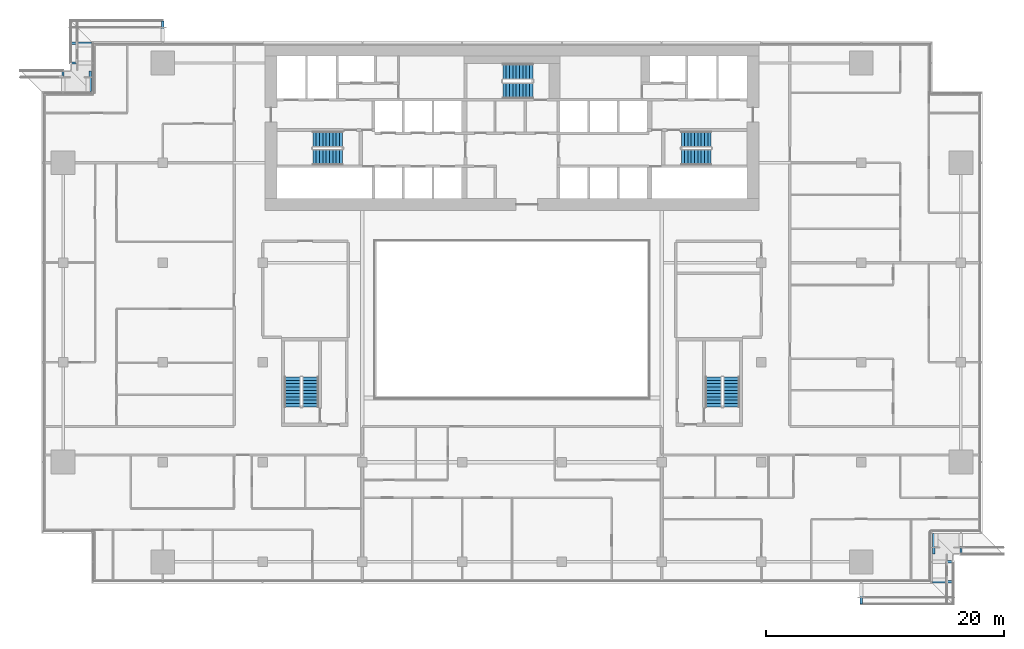
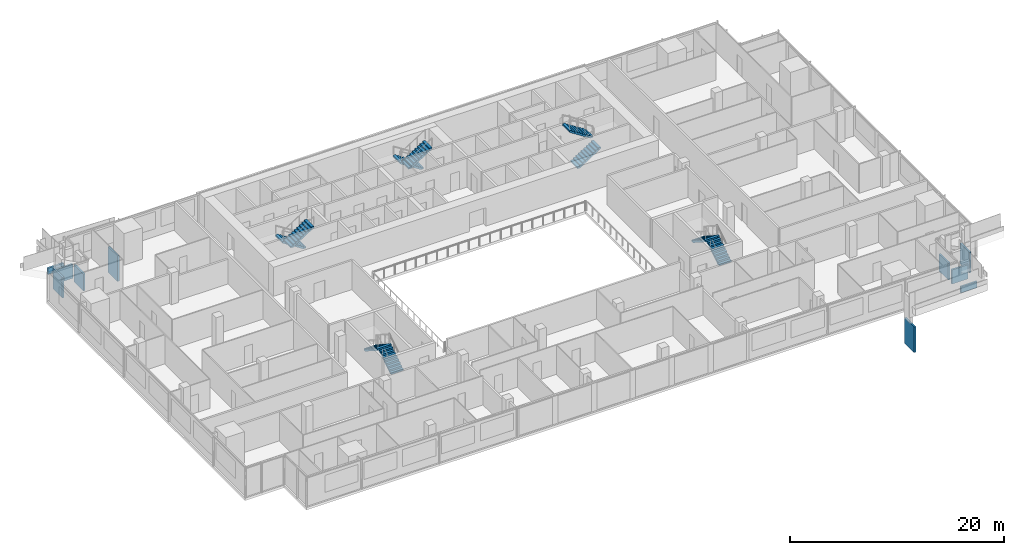
# One storey, part 25 of 30: 10 discrete accessories, 10 stair flights, 5 elements without a shape of their own.
"""IFC4 building model written with IfcOpenShell, lengths in metres."""

from ifc_helpers import new_model, si_unit, direction, frame, origin, origin_2d, place, context, subcontext, project, spatial, polyline, rectangle, outline, extrude, material, type_object, element, aggregate, save


model = new_model("IFC4")

# Units and contexts
model_context = context("Model", 3, precision=1e-05, world=origin(), true_north=direction((0.0, 1.0)))
body_context = subcontext(model_context, "Body", "Model", "MODEL_VIEW")
ifc_project = project(units=[si_unit("LENGTHUNIT", "METRE"), si_unit("AREAUNIT", "SQUARE_METRE"), si_unit("VOLUMEUNIT", "CUBIC_METRE"), si_unit("PLANEANGLEUNIT", "RADIAN"), si_unit("MASSUNIT", "GRAM", prefix="KILO")], contexts=[model_context])

# Site, building, storey
site_placement = place(None, origin())
site = spatial("IfcSite", under=ifc_project, at=site_placement, CompositionType="ELEMENT")
building_placement = place(site_placement, origin())
building = spatial("IfcBuilding", under=site, at=building_placement, Name="Saffron Gate Tower", CompositionType="ELEMENT")
storey_placement = place(building_placement, frame((0.0, 0.0, 127.64990234375)))
storey = spatial("IfcBuildingStorey", under=building, at=storey_placement, Name="L30", CompositionType="ELEMENT", Elevation=127.64990234375)

# Stair, stair flights
ifc_material = material(Name="Concrete C40", Category="concrete")
stair_type = type_object("IfcStairType", Name="ST7 Stair 1350 wide, 20 risers of 180", PredefinedType="HALF_TURN_STAIR", material=ifc_material)
stair_1_placement = place(storey_placement, origin())
stair_1 = element("IfcStair", 1, at=stair_1_placement, inside=storey, type_object=stair_type, Name="L30 Exit stair A", PredefinedType="HALF_TURN_STAIR")
stair_flight_type = type_object("IfcStairFlightType", Name="SF3 Stair flight 1350 wide, riser 180 going 280", PredefinedType="STRAIGHT", material=ifc_material)
stair_flight_1_placement = place(storey_placement, frame((73.35009765625, 67.375, 0.0), z_axis=(0.0, 0.0, 1.0), x_axis=(-1.0, 0.0, 0.0)))
stair_flight_1 = element("IfcStairFlight", 2, at=stair_flight_1_placement, type_object=stair_flight_type, Name="ST-A flight 1", NumberOfRisers=10, NumberOfTreads=9, PredefinedType="STRAIGHT", RiserHeight=0.18, TreadLength=0.28, context=body_context, shape_type="SweptSolid", body=[
    extrude(outline(polyline([(0.0, 0.0), (0.0, 0.179931640625), (0.280029296875, 0.179931640625), (0.280029296875, 0.360107421875), (0.56005859375, 0.360107421875), (0.56005859375, 0.5400390625), (0.840087890625, 0.5400390625), (0.840087890625, 0.719970703125), (1.1201171875, 0.719970703125), (1.1201171875, 0.89990234375), (1.39990234375, 0.89990234375), (1.39990234375, 1.080078125), (1.679931640625, 1.080078125), (1.679931640625, 1.260009765625), (1.9599609375, 1.260009765625), (1.9599609375, 1.43994140625), (2.239990234375, 1.43994140625), (2.239990234375, 1.6201171875), (2.52001953125, 1.6201171875), (2.52001953125, 1.800048828125), (2.52001953125, 1.44189453125), (0.277099609375, 0.0), (0.0, 0.0)])), frame((0.0, 0.675048828125, 0.0), z_axis=(0.0, -1.0, 0.0), x_axis=(1.0, 0.0, 0.0)), (0.0, 0.0, 1.0), 1.35009765625),
])
stair_flight_2_placement = place(storey_placement, frame((70.830078125, 65.875, 1.800048828125), z_axis=(0.0, 0.0, 1.0), x_axis=(1.0, 0.0, 0.0)))
stair_flight_2 = element("IfcStairFlight", 3, at=stair_flight_2_placement, type_object=stair_flight_type, Name="ST-A flight 2", NumberOfRisers=10, NumberOfTreads=9, PredefinedType="STRAIGHT", RiserHeight=0.18, TreadLength=0.28, context=body_context, shape_type="SweptSolid", body=[
    extrude(outline(polyline([(0.0, 0.0), (0.0, 0.179931640625), (0.280029296875, 0.179931640625), (0.280029296875, 0.360107421875), (0.56005859375, 0.360107421875), (0.56005859375, 0.5400390625), (0.840087890625, 0.5400390625), (0.840087890625, 0.719970703125), (1.1201171875, 0.719970703125), (1.1201171875, 0.89990234375), (1.39990234375, 0.89990234375), (1.39990234375, 1.080078125), (1.679931640625, 1.080078125), (1.679931640625, 1.260009765625), (1.9599609375, 1.260009765625), (1.9599609375, 1.43994140625), (2.239990234375, 1.43994140625), (2.239990234375, 1.6201171875), (2.52001953125, 1.6201171875), (2.52001953125, 1.800048828125), (2.52001953125, 1.44189453125), (0.277099609375, 0.0), (0.0, 0.0)])), frame((0.0, 0.675048828125, 0.0), z_axis=(0.0, -1.0, 0.0), x_axis=(1.0, 0.0, 0.0)), (0.0, 0.0, 1.0), 1.35009765625),
])
aggregate(stair_1, [stair_flight_1, stair_flight_2])

stair_2_placement = place(storey_placement, origin())
stair_2 = element("IfcStair", 4, at=stair_2_placement, inside=storey, type_object=stair_type, Name="L30 Exit stair B", PredefinedType="HALF_TURN_STAIR")
stair_flight_3_placement = place(storey_placement, frame((101.85009765625, 65.875, 0.0), z_axis=(0.0, 0.0, 1.0), x_axis=(1.0, 0.0, 0.0)))
stair_flight_3 = element("IfcStairFlight", 5, at=stair_flight_3_placement, type_object=stair_flight_type, Name="ST-B flight 1", NumberOfRisers=10, NumberOfTreads=9, PredefinedType="STRAIGHT", RiserHeight=0.18, TreadLength=0.28, context=body_context, shape_type="SweptSolid", body=[
    extrude(outline(polyline([(0.0, 0.0), (0.0, 0.179931640625), (0.280029296875, 0.179931640625), (0.280029296875, 0.360107421875), (0.56005859375, 0.360107421875), (0.56005859375, 0.5400390625), (0.840087890625, 0.5400390625), (0.840087890625, 0.719970703125), (1.1201171875, 0.719970703125), (1.1201171875, 0.89990234375), (1.39990234375, 0.89990234375), (1.39990234375, 1.080078125), (1.679931640625, 1.080078125), (1.679931640625, 1.260009765625), (1.9599609375, 1.260009765625), (1.9599609375, 1.43994140625), (2.239990234375, 1.43994140625), (2.239990234375, 1.6201171875), (2.52001953125, 1.6201171875), (2.52001953125, 1.800048828125), (2.52001953125, 1.44189453125), (0.277099609375, 0.0), (0.0, 0.0)])), frame((0.0, 0.675048828125, 0.0), z_axis=(0.0, -1.0, 0.0), x_axis=(1.0, 0.0, 0.0)), (0.0, 0.0, 1.0), 1.35009765625),
])
stair_flight_4_placement = place(storey_placement, frame((104.3701171875, 67.375, 1.800048828125), z_axis=(0.0, 0.0, 1.0), x_axis=(-1.0, 0.0, 0.0)))
stair_flight_4 = element("IfcStairFlight", 6, at=stair_flight_4_placement, type_object=stair_flight_type, Name="ST-B flight 2", NumberOfRisers=10, NumberOfTreads=9, PredefinedType="STRAIGHT", RiserHeight=0.18, TreadLength=0.28, context=body_context, shape_type="SweptSolid", body=[
    extrude(outline(polyline([(0.0, 0.0), (0.0, 0.179931640625), (0.280029296875, 0.179931640625), (0.280029296875, 0.360107421875), (0.56005859375, 0.360107421875), (0.56005859375, 0.5400390625), (0.840087890625, 0.5400390625), (0.840087890625, 0.719970703125), (1.1201171875, 0.719970703125), (1.1201171875, 0.89990234375), (1.39990234375, 0.89990234375), (1.39990234375, 1.080078125), (1.679931640625, 1.080078125), (1.679931640625, 1.260009765625), (1.9599609375, 1.260009765625), (1.9599609375, 1.43994140625), (2.239990234375, 1.43994140625), (2.239990234375, 1.6201171875), (2.52001953125, 1.6201171875), (2.52001953125, 1.800048828125), (2.52001953125, 1.44189453125), (0.277099609375, 0.0), (0.0, 0.0)])), frame((0.0, 0.675048828125, 0.0), z_axis=(0.0, -1.0, 0.0), x_axis=(1.0, 0.0, 0.0)), (0.0, 0.0, 1.0), 1.35009765625),
])
aggregate(stair_2, [stair_flight_3, stair_flight_4])

stair_3_placement = place(storey_placement, origin())
stair_3 = element("IfcStair", 7, at=stair_3_placement, inside=storey, type_object=stair_type, Name="L30 Exit stair C", PredefinedType="HALF_TURN_STAIR")
stair_flight_5_placement = place(storey_placement, frame((89.35009765625, 73.074951171875, 0.0), z_axis=(0.0, 0.0, 1.0), x_axis=(-1.0, 0.0, 0.0)))
stair_flight_5 = element("IfcStairFlight", 8, at=stair_flight_5_placement, type_object=stair_flight_type, Name="ST-C flight 1", NumberOfRisers=10, NumberOfTreads=9, PredefinedType="STRAIGHT", RiserHeight=0.18, TreadLength=0.28, context=body_context, shape_type="SweptSolid", body=[
    extrude(outline(polyline([(0.0, 0.0), (0.0, 0.179931640625), (0.280029296875, 0.179931640625), (0.280029296875, 0.360107421875), (0.56005859375, 0.360107421875), (0.56005859375, 0.5400390625), (0.840087890625, 0.5400390625), (0.840087890625, 0.719970703125), (1.1201171875, 0.719970703125), (1.1201171875, 0.89990234375), (1.39990234375, 0.89990234375), (1.39990234375, 1.080078125), (1.679931640625, 1.080078125), (1.679931640625, 1.260009765625), (1.9599609375, 1.260009765625), (1.9599609375, 1.43994140625), (2.239990234375, 1.43994140625), (2.239990234375, 1.6201171875), (2.52001953125, 1.6201171875), (2.52001953125, 1.800048828125), (2.52001953125, 1.44189453125), (0.277099609375, 0.0), (0.0, 0.0)])), frame((0.0, 0.675048828125, 0.0), z_axis=(0.0, -1.0, 0.0), x_axis=(1.0, 0.0, 0.0)), (0.0, 0.0, 1.0), 1.35009765625),
])
stair_flight_6_placement = place(storey_placement, frame((86.830078125, 71.47509765625, 1.800048828125), z_axis=(0.0, 0.0, 1.0), x_axis=(1.0, 0.0, 0.0)))
stair_flight_6 = element("IfcStairFlight", 9, at=stair_flight_6_placement, type_object=stair_flight_type, Name="ST-C flight 2", NumberOfRisers=10, NumberOfTreads=9, PredefinedType="STRAIGHT", RiserHeight=0.18, TreadLength=0.28, context=body_context, shape_type="SweptSolid", body=[
    extrude(outline(polyline([(0.0, 0.0), (0.0, 0.179931640625), (0.280029296875, 0.179931640625), (0.280029296875, 0.360107421875), (0.56005859375, 0.360107421875), (0.56005859375, 0.5400390625), (0.840087890625, 0.5400390625), (0.840087890625, 0.719970703125), (1.1201171875, 0.719970703125), (1.1201171875, 0.89990234375), (1.39990234375, 0.89990234375), (1.39990234375, 1.080078125), (1.679931640625, 1.080078125), (1.679931640625, 1.260009765625), (1.9599609375, 1.260009765625), (1.9599609375, 1.43994140625), (2.239990234375, 1.43994140625), (2.239990234375, 1.6201171875), (2.52001953125, 1.6201171875), (2.52001953125, 1.800048828125), (2.52001953125, 1.44189453125), (0.277099609375, 0.0), (0.0, 0.0)])), frame((0.0, 0.675048828125, 0.0), z_axis=(0.0, -1.0, 0.0), x_axis=(1.0, 0.0, 0.0)), (0.0, 0.0, 1.0), 1.35009765625),
])
aggregate(stair_3, [stair_flight_5, stair_flight_6])

stair_4_placement = place(storey_placement, origin())
stair_4 = element("IfcStair", 10, at=stair_4_placement, inside=storey, type_object=stair_type, Name="L30 Exit stair D", PredefinedType="HALF_TURN_STAIR")
stair_flight_7_placement = place(storey_placement, frame((70.625, 44.85009765625, 0.0), z_axis=(0.0, 0.0, 1.0), x_axis=(0.0, 1.0, 0.0)))
stair_flight_7 = element("IfcStairFlight", 11, at=stair_flight_7_placement, type_object=stair_flight_type, Name="ST-D flight 1", NumberOfRisers=10, NumberOfTreads=9, PredefinedType="STRAIGHT", RiserHeight=0.18, TreadLength=0.28, context=body_context, shape_type="SweptSolid", body=[
    extrude(outline(polyline([(0.0, 0.0), (0.0, 0.179931640625), (0.280029296875, 0.179931640625), (0.280029296875, 0.360107421875), (0.56005859375, 0.360107421875), (0.56005859375, 0.5400390625), (0.840087890625, 0.5400390625), (0.840087890625, 0.719970703125), (1.1201171875, 0.719970703125), (1.1201171875, 0.89990234375), (1.39990234375, 0.89990234375), (1.39990234375, 1.080078125), (1.679931640625, 1.080078125), (1.679931640625, 1.260009765625), (1.9599609375, 1.260009765625), (1.9599609375, 1.43994140625), (2.239990234375, 1.43994140625), (2.239990234375, 1.6201171875), (2.52001953125, 1.6201171875), (2.52001953125, 1.800048828125), (2.52001953125, 1.44189453125), (0.277099609375, 0.0), (0.0, 0.0)])), frame((0.0, 0.675048828125, 0.0), z_axis=(0.0, -1.0, 0.0), x_axis=(1.0, 0.0, 0.0)), (0.0, 0.0, 1.0), 1.35009765625),
])
stair_flight_8_placement = place(storey_placement, frame((69.125, 47.3701171875, 1.800048828125), z_axis=(0.0, 0.0, 1.0), x_axis=(0.0, -1.0, 0.0)))
stair_flight_8 = element("IfcStairFlight", 12, at=stair_flight_8_placement, type_object=stair_flight_type, Name="ST-D flight 2", NumberOfRisers=10, NumberOfTreads=9, PredefinedType="STRAIGHT", RiserHeight=0.18, TreadLength=0.28, context=body_context, shape_type="SweptSolid", body=[
    extrude(outline(polyline([(0.0, 0.0), (0.0, 0.179931640625), (0.280029296875, 0.179931640625), (0.280029296875, 0.360107421875), (0.56005859375, 0.360107421875), (0.56005859375, 0.5400390625), (0.840087890625, 0.5400390625), (0.840087890625, 0.719970703125), (1.1201171875, 0.719970703125), (1.1201171875, 0.89990234375), (1.39990234375, 0.89990234375), (1.39990234375, 1.080078125), (1.679931640625, 1.080078125), (1.679931640625, 1.260009765625), (1.9599609375, 1.260009765625), (1.9599609375, 1.43994140625), (2.239990234375, 1.43994140625), (2.239990234375, 1.6201171875), (2.52001953125, 1.6201171875), (2.52001953125, 1.800048828125), (2.52001953125, 1.44189453125), (0.277099609375, 0.0), (0.0, 0.0)])), frame((0.0, 0.675048828125, 0.0), z_axis=(0.0, -1.0, 0.0), x_axis=(1.0, 0.0, 0.0)), (0.0, 0.0, 1.0), 1.35009765625),
])
aggregate(stair_4, [stair_flight_7, stair_flight_8])

stair_5_placement = place(storey_placement, origin())
stair_5 = element("IfcStair", 13, at=stair_5_placement, inside=storey, type_object=stair_type, Name="L30 Exit stair E", PredefinedType="HALF_TURN_STAIR")
stair_flight_9_placement = place(storey_placement, frame((106.074951171875, 44.85009765625, 0.0), z_axis=(0.0, 0.0, 1.0), x_axis=(0.0, 1.0, 0.0)))
stair_flight_9 = element("IfcStairFlight", 14, at=stair_flight_9_placement, type_object=stair_flight_type, Name="ST-E flight 1", NumberOfRisers=10, NumberOfTreads=9, PredefinedType="STRAIGHT", RiserHeight=0.18, TreadLength=0.28, context=body_context, shape_type="SweptSolid", body=[
    extrude(outline(polyline([(0.0, 0.0), (0.0, 0.179931640625), (0.280029296875, 0.179931640625), (0.280029296875, 0.360107421875), (0.56005859375, 0.360107421875), (0.56005859375, 0.5400390625), (0.840087890625, 0.5400390625), (0.840087890625, 0.719970703125), (1.1201171875, 0.719970703125), (1.1201171875, 0.89990234375), (1.39990234375, 0.89990234375), (1.39990234375, 1.080078125), (1.679931640625, 1.080078125), (1.679931640625, 1.260009765625), (1.9599609375, 1.260009765625), (1.9599609375, 1.43994140625), (2.239990234375, 1.43994140625), (2.239990234375, 1.6201171875), (2.52001953125, 1.6201171875), (2.52001953125, 1.800048828125), (2.52001953125, 1.44189453125), (0.277099609375, 0.0), (0.0, 0.0)])), frame((0.0, 0.675048828125, 0.0), z_axis=(0.0, -1.0, 0.0), x_axis=(1.0, 0.0, 0.0)), (0.0, 0.0, 1.0), 1.35009765625),
])
stair_flight_10_placement = place(storey_placement, frame((104.574951171875, 47.3701171875, 1.800048828125), z_axis=(0.0, 0.0, 1.0), x_axis=(0.0, -1.0, 0.0)))
stair_flight_10 = element("IfcStairFlight", 15, at=stair_flight_10_placement, type_object=stair_flight_type, Name="ST-E flight 2", NumberOfRisers=10, NumberOfTreads=9, PredefinedType="STRAIGHT", RiserHeight=0.18, TreadLength=0.28, context=body_context, shape_type="SweptSolid", body=[
    extrude(outline(polyline([(0.0, 0.0), (0.0, 0.179931640625), (0.280029296875, 0.179931640625), (0.280029296875, 0.360107421875), (0.56005859375, 0.360107421875), (0.56005859375, 0.5400390625), (0.840087890625, 0.5400390625), (0.840087890625, 0.719970703125), (1.1201171875, 0.719970703125), (1.1201171875, 0.89990234375), (1.39990234375, 0.89990234375), (1.39990234375, 1.080078125), (1.679931640625, 1.080078125), (1.679931640625, 1.260009765625), (1.9599609375, 1.260009765625), (1.9599609375, 1.43994140625), (2.239990234375, 1.43994140625), (2.239990234375, 1.6201171875), (2.52001953125, 1.6201171875), (2.52001953125, 1.800048828125), (2.52001953125, 1.44189453125), (0.277099609375, 0.0), (0.0, 0.0)])), frame((0.0, 0.675048828125, 0.0), z_axis=(0.0, -1.0, 0.0), x_axis=(1.0, 0.0, 0.0)), (0.0, 0.0, 1.0), 1.35009765625),
])
aggregate(stair_5, [stair_flight_9, stair_flight_10])

# Discrete accessories
discrete_accessory_1_placement = place(storey_placement, frame((58.199951171875, 76.47509765625, -3.8798828125), z_axis=(0.0, 0.0, 1.0), x_axis=(-1.0, 0.0, 0.0)))
element("IfcDiscreteAccessory", 16, at=discrete_accessory_1_placement, inside=storey, Name="LEDGE rib", PredefinedType="BRACKET", context=body_context, shape_type="SweptSolid", body=[
    extrude(rectangle(XDim=0.199951171875, YDim=1.75, at=origin_2d()), origin(), (0.0, 0.0, 1.0), 2.935302734375),
])
discrete_accessory_2_placement = place(storey_placement, frame((51.324951171875, 75.47998046875, -0.280029296875), z_axis=(0.0, 0.0, 1.0), x_axis=(0.0, -1.0, 0.0)))
element("IfcDiscreteAccessory", 17, at=discrete_accessory_2_placement, inside=storey, Name="LEDGE rib", PredefinedType="BRACKET", context=body_context, shape_type="SweptSolid", body=[
    extrude(rectangle(XDim=0.199951171875, YDim=1.75, at=origin_2d()), origin(), (0.0, 0.0, 1.0), 0.70849609375),
])
discrete_accessory_3_placement = place(storey_placement, frame((51.324951171875, 73.800048828125, -0.27978515625), z_axis=(0.0, 0.0, 1.0), x_axis=(0.0, -1.0, 0.0)))
element("IfcDiscreteAccessory", 18, at=discrete_accessory_3_placement, inside=storey, Name="LEDGE rib", PredefinedType="BRACKET", context=body_context, shape_type="SweptSolid", body=[
    extrude(rectangle(XDim=0.199951171875, YDim=1.75, at=origin_2d()), origin(), (0.0, 0.0, 1.0), 1.61767578125),
])
discrete_accessory_4_placement = place(storey_placement, frame((52.080078125, 72.27490234375, -0.27978515625), z_axis=(0.0, 0.0, 1.0), x_axis=(-1.0, 0.0, 0.0)))
element("IfcDiscreteAccessory", 19, at=discrete_accessory_4_placement, inside=storey, Name="LEDGE rib", PredefinedType="BRACKET", context=body_context, shape_type="SweptSolid", body=[
    extrude(rectangle(XDim=0.199951171875, YDim=1.75, at=origin_2d()), origin(), (0.0, 0.0, 1.0), 1.944091796875),
])
discrete_accessory_5_placement = place(storey_placement, frame((49.800048828125, 72.27490234375, -0.27978515625), z_axis=(0.0, 0.0, 1.0), x_axis=(-1.0, 0.0, 0.0)))
element("IfcDiscreteAccessory", 20, at=discrete_accessory_5_placement, inside=storey, Name="LEDGE rib", PredefinedType="BRACKET", context=body_context, shape_type="SweptSolid", body=[
    extrude(rectangle(XDim=0.199951171875, YDim=1.75, at=origin_2d()), origin(), (0.0, 0.0, 1.0), 2.356201171875),
])
discrete_accessory_6_placement = place(storey_placement, frame((117.0, 29.125, -3.8798828125), z_axis=(0.0, 0.0, 1.0), x_axis=(1.0, 0.0, 0.0)))
element("IfcDiscreteAccessory", 21, at=discrete_accessory_6_placement, inside=storey, Name="LEDGE rib", PredefinedType="BRACKET", context=body_context, shape_type="SweptSolid", body=[
    extrude(rectangle(XDim=0.199951171875, YDim=1.75, at=origin_2d()), origin(), (0.0, 0.0, 1.0), 2.935302734375),
])
discrete_accessory_7_placement = place(storey_placement, frame((123.875, 30.1201171875, -0.280029296875), z_axis=(0.0, 0.0, 1.0), x_axis=(0.0, 1.0, 0.0)))
element("IfcDiscreteAccessory", 22, at=discrete_accessory_7_placement, inside=storey, Name="LEDGE rib", PredefinedType="BRACKET", context=body_context, shape_type="SweptSolid", body=[
    extrude(rectangle(XDim=0.199951171875, YDim=1.75, at=origin_2d()), origin(), (0.0, 0.0, 1.0), 0.70849609375),
])
discrete_accessory_8_placement = place(storey_placement, frame((123.875, 31.800048828125, -0.27978515625), z_axis=(0.0, 0.0, 1.0), x_axis=(0.0, 1.0, 0.0)))
element("IfcDiscreteAccessory", 23, at=discrete_accessory_8_placement, inside=storey, Name="LEDGE rib", PredefinedType="BRACKET", context=body_context, shape_type="SweptSolid", body=[
    extrude(rectangle(XDim=0.199951171875, YDim=1.75, at=origin_2d()), origin(), (0.0, 0.0, 1.0), 1.61767578125),
])
discrete_accessory_9_placement = place(storey_placement, frame((123.1201171875, 33.324951171875, -0.27978515625), z_axis=(0.0, 0.0, 1.0), x_axis=(1.0, 0.0, 0.0)))
element("IfcDiscreteAccessory", 24, at=discrete_accessory_9_placement, inside=storey, Name="LEDGE rib", PredefinedType="BRACKET", context=body_context, shape_type="SweptSolid", body=[
    extrude(rectangle(XDim=0.199951171875, YDim=1.75, at=origin_2d()), origin(), (0.0, 0.0, 1.0), 1.944091796875),
])
discrete_accessory_10_placement = place(storey_placement, frame((125.39990234375, 33.324951171875, -0.27978515625), z_axis=(0.0, 0.0, 1.0), x_axis=(1.0, 0.0, 0.0)))
element("IfcDiscreteAccessory", 25, at=discrete_accessory_10_placement, inside=storey, Name="LEDGE rib", PredefinedType="BRACKET", context=body_context, shape_type="SweptSolid", body=[
    extrude(rectangle(XDim=0.199951171875, YDim=1.75, at=origin_2d()), origin(), (0.0, 0.0, 1.0), 2.356201171875),
])

save(model, "model.ifc")
